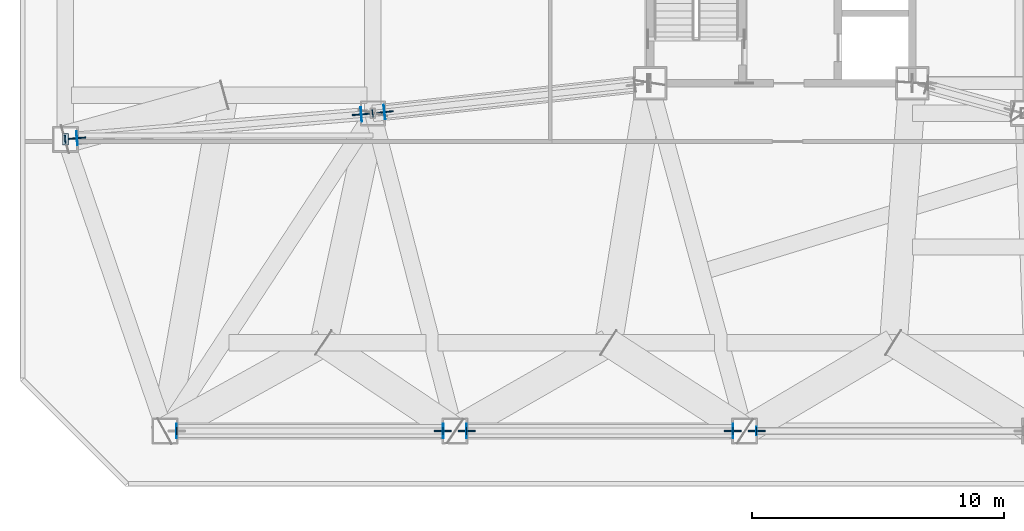
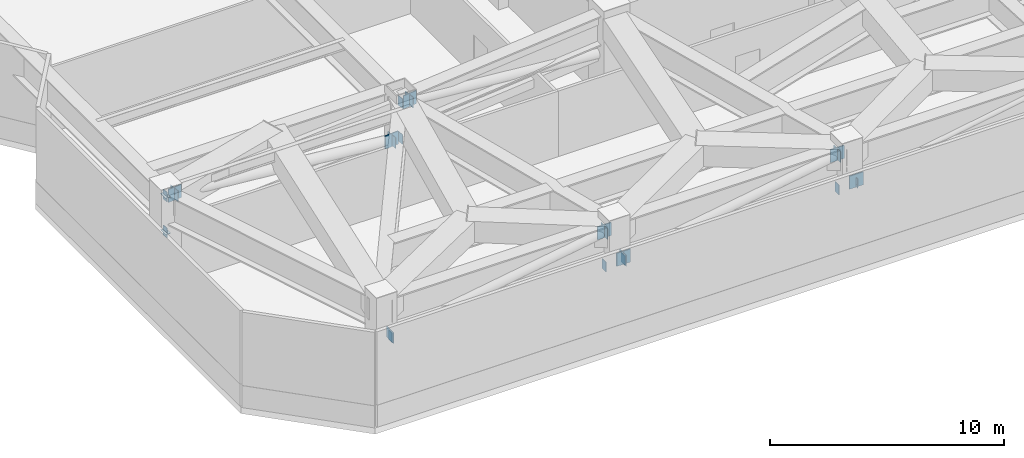
# One storey, part 10 of 18: 26 plates.
"""IFC4 building model written with IfcOpenShell, lengths in metres."""

from ifc_helpers import new_model, si_unit, direction, frame, origin, origin_2d, place, context, subcontext, project, spatial, rectangle, extrude, material, layer, layer_set, type_object, element, save


model = new_model("IFC4")

# Units and contexts
model_context = context("Model", 3, precision=1e-05, world=origin(), true_north=direction((0.0, 1.0)))
body_context = subcontext(model_context, "Body", "Model", "MODEL_VIEW")
ifc_project = project(units=[si_unit("LENGTHUNIT", "METRE"), si_unit("AREAUNIT", "SQUARE_METRE"), si_unit("VOLUMEUNIT", "CUBIC_METRE"), si_unit("PLANEANGLEUNIT", "RADIAN"), si_unit("MASSUNIT", "GRAM", prefix="KILO")], contexts=[model_context])

# Site, building, storey
site_placement = place(None, origin())
site = spatial("IfcSite", under=ifc_project, at=site_placement, CompositionType="ELEMENT")
building_placement = place(site_placement, origin())
building = spatial("IfcBuilding", under=site, at=building_placement, Name="Khamvora Tower", CompositionType="ELEMENT")
storey_placement = place(building_placement, frame((0.0, 0.0, 84.39990234375)))
storey = spatial("IfcBuildingStorey", under=building, at=storey_placement, Name="L21", CompositionType="ELEMENT", Elevation=84.39990234375)

# Plates
ifc_material_1 = material(Name="Steel S355", Category="steel")
ifc_layer_1 = layer(ifc_material_1, 0.02490234375)
ifc_layer_set_1 = layer_set([ifc_layer_1], Name="Steel S355")
plate_type_1 = type_object("IfcPlateType", Name="PL-CAP-25", PredefinedType="SHEET", material=ifc_layer_set_1)
for number, where, z_axis, x_axis, name in (
    (1, (17.988037109375, 17.799072265625, 4.375), (0.0, 0.0, 1.0), (-0.994101853063, -0.108450475968, 0.0), "L21 hollow section steel end cap plate 0613"),
    (2, (17.988037109375, 17.799072265625, 2.5048828125), (0.0, 0.0, 1.0), (-0.994101853063, -0.108450475968, 0.0), "L21 hollow section steel end cap plate 0615"),
):
    element("IfcPlate", number, at=place(storey_placement, frame(where, z_axis=z_axis, x_axis=x_axis)), inside=storey, type_object=plate_type_1, Name=name, PredefinedType="SHEET", context=body_context, shape_type="SweptSolid", body=[
        extrude(rectangle(XDim=0.02490234375, YDim=0.31005859375, at=origin_2d()), origin(), (0.0, 0.0, 1.0), 0.510009765625),
    ])
plate_1_placement = place(storey_placement, frame((18.4580078125, 17.85009765625, 4.26806640625), z_axis=(0.0, 0.0, 1.0), x_axis=(-0.994094279368, -0.108519877105, 0.0)))
element("IfcPlate", 3, at=plate_1_placement, inside=storey, type_object=plate_type_1, Name="L21 hollow section steel end cap plate 0617", PredefinedType="SHEET", context=body_context, shape_type="SweptSolid", body=[
    extrude(rectangle(XDim=0.02490234375, YDim=0.568115234375, at=origin_2d()), origin(), (0.0, 0.0, 1.0), 0.568115234375),
])
for number, where, z_axis, x_axis, name in (
    (4, (5.7880859375, 16.77392578125, 4.375), (0.0, 0.0, 1.0), (-0.996488476522, -0.083730019462, 0.0), "L21 hollow section steel end cap plate 0618"),
    (5, (5.7880859375, 16.77392578125, 2.5048828125), (0.0, 0.0, 1.0), (-0.996488476522, -0.083730019462, 0.0), "L21 hollow section steel end cap plate 0619"),
):
    element("IfcPlate", number, at=place(storey_placement, frame(where, z_axis=z_axis, x_axis=x_axis)), inside=storey, type_object=plate_type_1, Name=name, PredefinedType="SHEET", context=body_context, shape_type="SweptSolid", body=[
        extrude(rectangle(XDim=0.02490234375, YDim=0.31005859375, at=origin_2d()), origin(), (0.0, 0.0, 1.0), 0.510009765625),
    ])
for number, where, z_axis, x_axis, name in (
    (6, (17.5390625, 17.760986328125, 2.5458984375), (0.0, 0.0, 1.0), (-0.99649285925, -0.083677843332, 0.0), "L21 hollow section steel end cap plate 0620"),
    (7, (6.260986328125, 16.81396484375, 4.27587890625), (0.0, 0.0, 1.0), (-0.99649285925, -0.083677843332, 0.0), "L21 hollow section steel end cap plate 0621"),
):
    element("IfcPlate", number, at=place(storey_placement, frame(where, z_axis=z_axis, x_axis=x_axis)), inside=storey, type_object=plate_type_1, Name=name, PredefinedType="SHEET", context=body_context, shape_type="SweptSolid", body=[
        extrude(rectangle(XDim=0.02490234375, YDim=0.568115234375, at=origin_2d()), origin(), (0.0, 0.0, 1.0), 0.568115234375),
    ])
for number, where, z_axis, x_axis, name in (
    (8, (5.800048828125, 16.77490234375, 2.734619140625), (0.0, 0.0, 1.0), (1.0, 0.0, 0.0), "L21 hollow section steel end cap plate 0622"),
    (9, (5.800048828125, 16.77490234375, 4.630615234375), (0.0, 0.0, 1.0), (1.0, 0.0, 0.0), "L21 hollow section steel end cap plate 0623"),
):
    element("IfcPlate", number, at=place(storey_placement, frame(where, z_axis=z_axis, x_axis=x_axis)), inside=storey, type_object=plate_type_1, Name=name, PredefinedType="SHEET", context=body_context, shape_type="SweptSolid", body=[
        extrude(rectangle(XDim=0.239990234375, YDim=0.43994140625, at=origin_2d()), origin(), (0.0, 0.0, 1.0), 0.02490234375),
    ])
for number, where, z_axis, x_axis, name in (
    (10, (10.218017578125, 5.199951171875, 2.5048828125), (0.0, 0.0, 1.0), (1.0, 0.0, 0.0), "L21 hollow section steel end cap plate 0660"),
    (11, (20.781982421875, 5.199951171875, 2.5048828125), (0.0, 0.0, 1.0), (1.0, 0.0, 0.0), "L21 hollow section steel end cap plate 0661"),
):
    element("IfcPlate", number, at=place(storey_placement, frame(where, z_axis=z_axis, x_axis=x_axis)), inside=storey, type_object=plate_type_1, Name=name, PredefinedType="SHEET", context=body_context, shape_type="SweptSolid", body=[
        extrude(rectangle(XDim=0.02490234375, YDim=0.31005859375, at=origin_2d()), origin(), (0.0, 0.0, 1.0), 0.510009765625),
    ])
for number, where, z_axis, x_axis, name in (
    (12, (10.2119140625, 5.199951171875, 2.55126953125), (0.0, 0.0, 1.0), (1.0, 0.0, 0.0), "L21 hollow section steel end cap plate 0662"),
    (13, (20.7880859375, 5.199951171875, 4.27099609375), (0.0, 0.0, 1.0), (1.0, 0.0, 0.0), "L21 hollow section steel end cap plate 0663"),
):
    element("IfcPlate", number, at=place(storey_placement, frame(where, z_axis=z_axis, x_axis=x_axis)), inside=storey, type_object=plate_type_1, Name=name, PredefinedType="SHEET", context=body_context, shape_type="SweptSolid", body=[
        extrude(rectangle(XDim=0.02490234375, YDim=0.568115234375, at=origin_2d()), origin(), (0.0, 0.0, 1.0), 0.568115234375),
    ])
for number, where, z_axis, x_axis, name in (
    (14, (21.718017578125, 5.199951171875, 2.5048828125), (0.0, 0.0, 1.0), (1.0, 0.0, 0.0), "L21 hollow section steel end cap plate 0664"),
    (15, (32.282958984375, 5.199951171875, 2.5048828125), (0.0, 0.0, 1.0), (1.0, 0.0, 0.0), "L21 hollow section steel end cap plate 0665"),
):
    element("IfcPlate", number, at=place(storey_placement, frame(where, z_axis=z_axis, x_axis=x_axis)), inside=storey, type_object=plate_type_1, Name=name, PredefinedType="SHEET", context=body_context, shape_type="SweptSolid", body=[
        extrude(rectangle(XDim=0.02490234375, YDim=0.31005859375, at=origin_2d()), origin(), (0.0, 0.0, 1.0), 0.510009765625),
    ])
for number, where, z_axis, x_axis, name in (
    (16, (21.7119140625, 5.199951171875, 2.55126953125), (0.0, 0.0, 1.0), (1.0, 0.0, 0.0), "L21 hollow section steel end cap plate 0666"),
    (17, (32.2880859375, 5.199951171875, 4.27099609375), (0.0, 0.0, 1.0), (1.0, 0.0, 0.0), "L21 hollow section steel end cap plate 0667"),
):
    element("IfcPlate", number, at=place(storey_placement, frame(where, z_axis=z_axis, x_axis=x_axis)), inside=storey, type_object=plate_type_1, Name=name, PredefinedType="SHEET", context=body_context, shape_type="SweptSolid", body=[
        extrude(rectangle(XDim=0.02490234375, YDim=0.568115234375, at=origin_2d()), origin(), (0.0, 0.0, 1.0), 0.568115234375),
    ])
plate_2_placement = place(storey_placement, frame((33.217041015625, 5.199951171875, 2.5048828125), z_axis=(0.0, 0.0, 1.0), x_axis=(1.0, 0.0, 0.0)))
element("IfcPlate", 18, at=plate_2_placement, inside=storey, type_object=plate_type_1, Name="L21 hollow section steel end cap plate 0668", PredefinedType="SHEET", context=body_context, shape_type="SweptSolid", body=[
    extrude(rectangle(XDim=0.02490234375, YDim=0.31005859375, at=origin_2d()), origin(), (0.0, 0.0, 1.0), 0.510009765625),
])
plate_3_placement = place(storey_placement, frame((33.2109375, 5.199951171875, 2.671630859375), z_axis=(0.0, 0.0, 1.0), x_axis=(1.0, 0.0, 0.0)))
element("IfcPlate", 19, at=plate_3_placement, inside=storey, type_object=plate_type_1, Name="L21 hollow section steel end cap plate 0728", PredefinedType="SHEET", context=body_context, shape_type="SweptSolid", body=[
    extrude(rectangle(XDim=0.02490234375, YDim=0.3330078125, at=origin_2d()), origin(), (0.0, 0.0, 1.0), 0.3330078125),
])
ifc_material_2 = material(Name="Steel S460", Category="steel")
ifc_layer_2 = layer(ifc_material_2, 0.050048828125)
ifc_layer_set_2 = layer_set([ifc_layer_2], Name="Steel S460")
plate_type_2 = type_object("IfcPlateType", Name="PLT-GUS-50", PredefinedType="SHEET", material=ifc_layer_set_2)
for number, where, z_axis, x_axis, name in (
    (20, (18.469970703125, 17.85107421875, 4.2099609375), (0.0, 0.0, 1.0), (-0.994101853063, -0.108450475968, 0.0), "L21 brace connection node gusset plate 0130"),
    (21, (17.527099609375, 17.760009765625, 2.4921875), (0.0, 0.0, 1.0), (-0.996488476522, -0.083730019462, 0.0), "L21 brace connection node gusset plate 0131"),
    (22, (6.27294921875, 16.81494140625, 4.21826171875), (0.0, 0.0, 1.0), (-0.996488476522, -0.083730019462, 0.0), "L21 brace connection node gusset plate 0132"),
    (23, (20.77587890625, 5.199951171875, 4.212890625), (0.0, 0.0, 1.0), (1.0, 0.0, 0.0), "L21 brace connection node gusset plate 0146"),
    (24, (21.72412109375, 5.199951171875, 2.4970703125), (0.0, 0.0, 1.0), (1.0, 0.0, 0.0), "L21 brace connection node gusset plate 0147"),
    (25, (32.27587890625, 5.199951171875, 4.212890625), (0.0, 0.0, 1.0), (1.0, 0.0, 0.0), "L21 brace connection node gusset plate 0148"),
    (26, (33.222900390625, 5.199951171875, 2.5), (0.0, 0.0, 1.0), (1.0, 0.0, 0.0), "L21 brace connection node gusset plate 0161"),
):
    element("IfcPlate", number, at=place(storey_placement, frame(where, z_axis=z_axis, x_axis=x_axis)), inside=storey, type_object=plate_type_2, Name=name, PredefinedType="SHEET", context=body_context, shape_type="SweptSolid", body=[
        extrude(rectangle(XDim=0.679931640625, YDim=0.050048828125, at=origin_2d()), origin(), (0.0, 0.0, 1.0), 0.679931640625),
    ])

save(model, "model.ifc")
